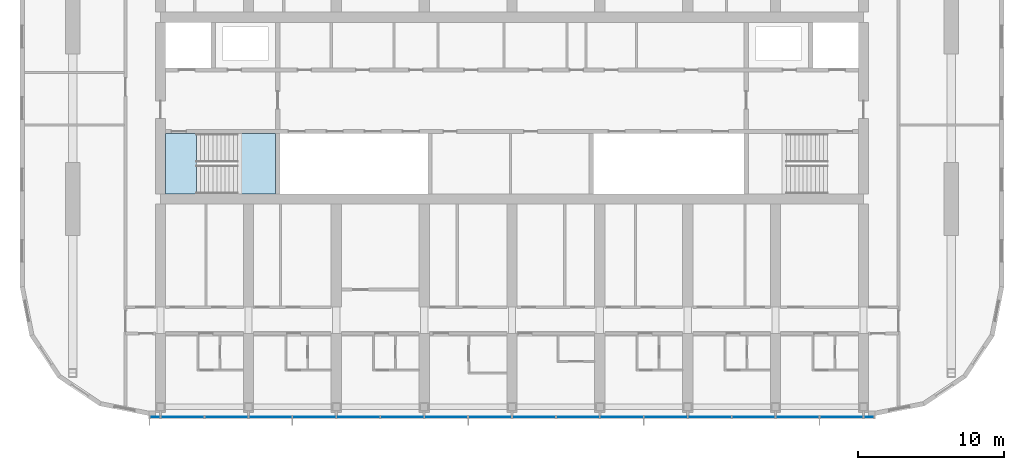
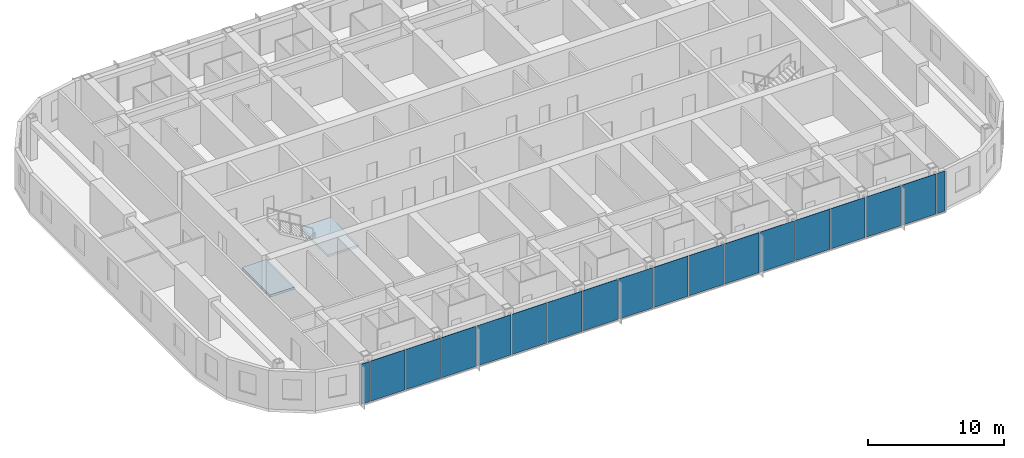
# One storey, part 7 of 23: 18 plates, 2 slabs, 2 elements without a shape of their own.
"""IFC4 building model written with IfcOpenShell, lengths in metres."""

from ifc_helpers import new_model, si_unit, direction, frame, origin, origin_2d, place, context, subcontext, project, spatial, polyline, rectangle, outline, extrude, material, layer, layer_set, type_object, element, aggregate, save


model = new_model("IFC4")

# Units and contexts
model_context = context("Model", 3, precision=1e-05, world=origin(), true_north=direction((0.0, 1.0)))
body_context = subcontext(model_context, "Body", "Model", "MODEL_VIEW")
ifc_project = project(units=[si_unit("LENGTHUNIT", "METRE"), si_unit("AREAUNIT", "SQUARE_METRE"), si_unit("VOLUMEUNIT", "CUBIC_METRE"), si_unit("PLANEANGLEUNIT", "RADIAN"), si_unit("MASSUNIT", "GRAM", prefix="KILO")], contexts=[model_context])

# Site, building, storey
site_placement = place(None, origin())
site = spatial("IfcSite", under=ifc_project, at=site_placement, CompositionType="ELEMENT")
building_placement = place(site_placement, origin())
building = spatial("IfcBuilding", under=site, at=building_placement, Name="Orbita Commons", CompositionType="ELEMENT")
storey_placement = place(building_placement, frame((0.0, 0.0, 254.050048828125)))
storey = spatial("IfcBuildingStorey", under=building, at=storey_placement, Name="L63", CompositionType="ELEMENT", Elevation=254.050048828125)

# Curtain wall, plates
ifc_material_1 = material(Name="Anodised aluminium frame, pale silver", Category="aluminium")
curtain_wall_type = type_object("IfcCurtainWallType", Name="Unitised curtain wall CW-U, full-height vision", PredefinedType="NOTDEFINED", material=ifc_material_1)
curtain_wall_placement = place(storey_placement, origin())
curtain_wall = element("IfcCurtainWall", 1, at=curtain_wall_placement, inside=storey, type_object=curtain_wall_type, Name="Curtain wall south L63", PredefinedType="NOTDEFINED")
ifc_material_2 = material(Name="Clear double glazing", Category="glass")
ifc_layer_1 = layer(ifc_material_2, 0.031982421875)
ifc_layer_set_1 = layer_set([ifc_layer_1], Name="Clear double glazing")
plate_type = type_object("IfcPlateType", Name="Full-height vision panel, clear glazing 32", PredefinedType="CURTAIN_PANEL", material=ifc_layer_set_1)
plate_1_placement = place(storey_placement, frame((17.6201171875, 10.889892578125, -0.150146484375), z_axis=(0.0, 0.0, 1.0), x_axis=(1.0, 0.0, 0.0)))
plate_1 = element("IfcPlate", 2, at=plate_1_placement, type_object=plate_type, Name="Panel 1.1 CW-L63-S", PredefinedType="CURTAIN_PANEL", context=body_context, shape_type="SweptSolid", body=[
    extrude(rectangle(XDim=0.679931640625, YDim=0.031982421875, at=origin_2d()), origin(), (0.0, 0.0, 1.0), 3.60009765625),
])
plate_2_placement = place(storey_placement, frame((19.5, 10.889892578125, -0.150146484375), z_axis=(0.0, 0.0, 1.0), x_axis=(1.0, 0.0, 0.0)))
plate_2 = element("IfcPlate", 3, at=plate_2_placement, type_object=plate_type, Name="Panel 2.1 CW-L63-S", PredefinedType="CURTAIN_PANEL", context=body_context, shape_type="SweptSolid", body=[
    extrude(rectangle(XDim=2.919921875, YDim=0.031982421875, at=origin_2d()), origin(), (0.0, 0.0, 1.0), 3.60009765625),
])
plate_3_placement = place(storey_placement, frame((22.5, 10.889892578125, -0.150146484375), z_axis=(0.0, 0.0, 1.0), x_axis=(1.0, 0.0, 0.0)))
plate_3 = element("IfcPlate", 4, at=plate_3_placement, type_object=plate_type, Name="Panel 3.1 CW-L63-S", PredefinedType="CURTAIN_PANEL", context=body_context, shape_type="SweptSolid", body=[
    extrude(rectangle(XDim=2.919921875, YDim=0.031982421875, at=origin_2d()), origin(), (0.0, 0.0, 1.0), 3.60009765625),
])
plate_4_placement = place(storey_placement, frame((25.5, 10.889892578125, -0.150146484375), z_axis=(0.0, 0.0, 1.0), x_axis=(1.0, 0.0, 0.0)))
plate_4 = element("IfcPlate", 5, at=plate_4_placement, type_object=plate_type, Name="Panel 4.1 CW-L63-S", PredefinedType="CURTAIN_PANEL", context=body_context, shape_type="SweptSolid", body=[
    extrude(rectangle(XDim=2.919921875, YDim=0.031982421875, at=origin_2d()), origin(), (0.0, 0.0, 1.0), 3.60009765625),
])
plate_5_placement = place(storey_placement, frame((28.5, 10.889892578125, -0.150146484375), z_axis=(0.0, 0.0, 1.0), x_axis=(1.0, 0.0, 0.0)))
plate_5 = element("IfcPlate", 6, at=plate_5_placement, type_object=plate_type, Name="Panel 5.1 CW-L63-S", PredefinedType="CURTAIN_PANEL", context=body_context, shape_type="SweptSolid", body=[
    extrude(rectangle(XDim=2.919921875, YDim=0.031982421875, at=origin_2d()), origin(), (0.0, 0.0, 1.0), 3.60009765625),
])
plate_6_placement = place(storey_placement, frame((31.5, 10.889892578125, -0.150146484375), z_axis=(0.0, 0.0, 1.0), x_axis=(1.0, 0.0, 0.0)))
plate_6 = element("IfcPlate", 7, at=plate_6_placement, type_object=plate_type, Name="Panel 6.1 CW-L63-S", PredefinedType="CURTAIN_PANEL", context=body_context, shape_type="SweptSolid", body=[
    extrude(rectangle(XDim=2.919921875, YDim=0.031982421875, at=origin_2d()), origin(), (0.0, 0.0, 1.0), 3.60009765625),
])
plate_7_placement = place(storey_placement, frame((34.5, 10.889892578125, -0.150146484375), z_axis=(0.0, 0.0, 1.0), x_axis=(1.0, 0.0, 0.0)))
plate_7 = element("IfcPlate", 8, at=plate_7_placement, type_object=plate_type, Name="Panel 7.1 CW-L63-S", PredefinedType="CURTAIN_PANEL", context=body_context, shape_type="SweptSolid", body=[
    extrude(rectangle(XDim=2.919921875, YDim=0.031982421875, at=origin_2d()), origin(), (0.0, 0.0, 1.0), 3.60009765625),
])
plate_8_placement = place(storey_placement, frame((37.5, 10.889892578125, -0.150146484375), z_axis=(0.0, 0.0, 1.0), x_axis=(1.0, 0.0, 0.0)))
plate_8 = element("IfcPlate", 9, at=plate_8_placement, type_object=plate_type, Name="Panel 8.1 CW-L63-S", PredefinedType="CURTAIN_PANEL", context=body_context, shape_type="SweptSolid", body=[
    extrude(rectangle(XDim=2.919921875, YDim=0.031982421875, at=origin_2d()), origin(), (0.0, 0.0, 1.0), 3.60009765625),
])
plate_9_placement = place(storey_placement, frame((40.5, 10.889892578125, -0.150146484375), z_axis=(0.0, 0.0, 1.0), x_axis=(1.0, 0.0, 0.0)))
plate_9 = element("IfcPlate", 10, at=plate_9_placement, type_object=plate_type, Name="Panel 9.1 CW-L63-S", PredefinedType="CURTAIN_PANEL", context=body_context, shape_type="SweptSolid", body=[
    extrude(rectangle(XDim=2.919921875, YDim=0.031982421875, at=origin_2d()), origin(), (0.0, 0.0, 1.0), 3.60009765625),
])
plate_10_placement = place(storey_placement, frame((43.5, 10.889892578125, -0.150146484375), z_axis=(0.0, 0.0, 1.0), x_axis=(1.0, 0.0, 0.0)))
plate_10 = element("IfcPlate", 11, at=plate_10_placement, type_object=plate_type, Name="Panel 10.1 CW-L63-S", PredefinedType="CURTAIN_PANEL", context=body_context, shape_type="SweptSolid", body=[
    extrude(rectangle(XDim=2.919921875, YDim=0.031982421875, at=origin_2d()), origin(), (0.0, 0.0, 1.0), 3.60009765625),
])
plate_11_placement = place(storey_placement, frame((46.5, 10.889892578125, -0.150146484375), z_axis=(0.0, 0.0, 1.0), x_axis=(1.0, 0.0, 0.0)))
plate_11 = element("IfcPlate", 12, at=plate_11_placement, type_object=plate_type, Name="Panel 11.1 CW-L63-S", PredefinedType="CURTAIN_PANEL", context=body_context, shape_type="SweptSolid", body=[
    extrude(rectangle(XDim=2.919921875, YDim=0.031982421875, at=origin_2d()), origin(), (0.0, 0.0, 1.0), 3.60009765625),
])
plate_12_placement = place(storey_placement, frame((49.5, 10.889892578125, -0.150146484375), z_axis=(0.0, 0.0, 1.0), x_axis=(1.0, 0.0, 0.0)))
plate_12 = element("IfcPlate", 13, at=plate_12_placement, type_object=plate_type, Name="Panel 12.1 CW-L63-S", PredefinedType="CURTAIN_PANEL", context=body_context, shape_type="SweptSolid", body=[
    extrude(rectangle(XDim=2.919921875, YDim=0.031982421875, at=origin_2d()), origin(), (0.0, 0.0, 1.0), 3.60009765625),
])
plate_13_placement = place(storey_placement, frame((52.5, 10.889892578125, -0.150146484375), z_axis=(0.0, 0.0, 1.0), x_axis=(1.0, 0.0, 0.0)))
plate_13 = element("IfcPlate", 14, at=plate_13_placement, type_object=plate_type, Name="Panel 13.1 CW-L63-S", PredefinedType="CURTAIN_PANEL", context=body_context, shape_type="SweptSolid", body=[
    extrude(rectangle(XDim=2.919921875, YDim=0.031982421875, at=origin_2d()), origin(), (0.0, 0.0, 1.0), 3.60009765625),
])
plate_14_placement = place(storey_placement, frame((55.5, 10.889892578125, -0.150146484375), z_axis=(0.0, 0.0, 1.0), x_axis=(1.0, 0.0, 0.0)))
plate_14 = element("IfcPlate", 15, at=plate_14_placement, type_object=plate_type, Name="Panel 14.1 CW-L63-S", PredefinedType="CURTAIN_PANEL", context=body_context, shape_type="SweptSolid", body=[
    extrude(rectangle(XDim=2.919921875, YDim=0.031982421875, at=origin_2d()), origin(), (0.0, 0.0, 1.0), 3.60009765625),
])
plate_15_placement = place(storey_placement, frame((58.5, 10.889892578125, -0.150146484375), z_axis=(0.0, 0.0, 1.0), x_axis=(1.0, 0.0, 0.0)))
plate_15 = element("IfcPlate", 16, at=plate_15_placement, type_object=plate_type, Name="Panel 15.1 CW-L63-S", PredefinedType="CURTAIN_PANEL", context=body_context, shape_type="SweptSolid", body=[
    extrude(rectangle(XDim=2.919921875, YDim=0.031982421875, at=origin_2d()), origin(), (0.0, 0.0, 1.0), 3.60009765625),
])
plate_16_placement = place(storey_placement, frame((61.5, 10.889892578125, -0.150146484375), z_axis=(0.0, 0.0, 1.0), x_axis=(1.0, 0.0, 0.0)))
plate_16 = element("IfcPlate", 17, at=plate_16_placement, type_object=plate_type, Name="Panel 16.1 CW-L63-S", PredefinedType="CURTAIN_PANEL", context=body_context, shape_type="SweptSolid", body=[
    extrude(rectangle(XDim=2.919921875, YDim=0.031982421875, at=origin_2d()), origin(), (0.0, 0.0, 1.0), 3.60009765625),
])
plate_17_placement = place(storey_placement, frame((64.5, 10.889892578125, -0.150146484375), z_axis=(0.0, 0.0, 1.0), x_axis=(1.0, 0.0, 0.0)))
plate_17 = element("IfcPlate", 18, at=plate_17_placement, type_object=plate_type, Name="Panel 17.1 CW-L63-S", PredefinedType="CURTAIN_PANEL", context=body_context, shape_type="SweptSolid", body=[
    extrude(rectangle(XDim=2.919921875, YDim=0.031982421875, at=origin_2d()), origin(), (0.0, 0.0, 1.0), 3.60009765625),
])
plate_18_placement = place(storey_placement, frame((66.3798828125, 10.889892578125, -0.150146484375), z_axis=(0.0, 0.0, 1.0), x_axis=(1.0, 0.0, 0.0)))
plate_18 = element("IfcPlate", 19, at=plate_18_placement, type_object=plate_type, Name="Panel 18.1 CW-L63-S", PredefinedType="CURTAIN_PANEL", context=body_context, shape_type="SweptSolid", body=[
    extrude(rectangle(XDim=0.679931640625, YDim=0.031982421875, at=origin_2d()), origin(), (0.0, 0.0, 1.0), 3.60009765625),
])
aggregate(curtain_wall, [plate_1, plate_2, plate_3, plate_4, plate_5, plate_6, plate_7, plate_8, plate_9, plate_10, plate_11, plate_12, plate_13, plate_14, plate_15, plate_16, plate_17, plate_18])

# Stair, slabs
ifc_material_3 = material(Name="Precast concrete C40/50", Category="concrete")
stair_type = type_object("IfcStairType", Name="Exit stair S1 2 flights 11 risers 170", PredefinedType="HALF_TURN_STAIR", material=ifc_material_3)
stair_placement = place(storey_placement, origin())
stair = element("IfcStair", 20, at=stair_placement, inside=storey, type_object=stair_type, Name="Exit stair S1 L63", PredefinedType="HALF_TURN_STAIR")
ifc_material_4 = material(Name="Concrete C40/50", Category="concrete")
ifc_layer_2 = layer(ifc_material_4, 0.199951171875)
ifc_layer_set_2 = layer_set([ifc_layer_2], Name="Concrete C40/50")
slab_type = type_object("IfcSlabType", Name="Stair landing 200", PredefinedType="LANDING", material=ifc_layer_set_2)
slab_1_placement = place(storey_placement, frame((0.0, 0.0, -0.199951171875)))
slab_1 = element("IfcSlab", 21, at=slab_1_placement, type_object=slab_type, Name="S1 landing 1", PredefinedType="LANDING", context=body_context, shape_type="SweptSolid", body=[
    extrude(outline(polyline([(18.35009765625, 26.14990234375), (20.449951171875, 26.14990234375), (20.449951171875, 30.25), (18.35009765625, 30.25), (18.35009765625, 26.14990234375)])), origin(), (0.0, 0.0, 1.0), 0.199951171875),
])
slab_2_placement = place(storey_placement, frame((0.0, 0.0, 1.675048828125)))
slab_2 = element("IfcSlab", 22, at=slab_2_placement, type_object=slab_type, Name="S1 landing 2", PredefinedType="LANDING", context=body_context, shape_type="SweptSolid", body=[
    extrude(outline(polyline([(23.25, 26.135009765625), (25.864990234375, 26.135009765625), (25.864990234375, 30.264892578125), (23.25, 30.264892578125), (23.25, 26.135009765625)])), origin(), (0.0, 0.0, 1.0), 0.199951171875),
])
aggregate(stair, [slab_1, slab_2])

save(model, "model.ifc")
